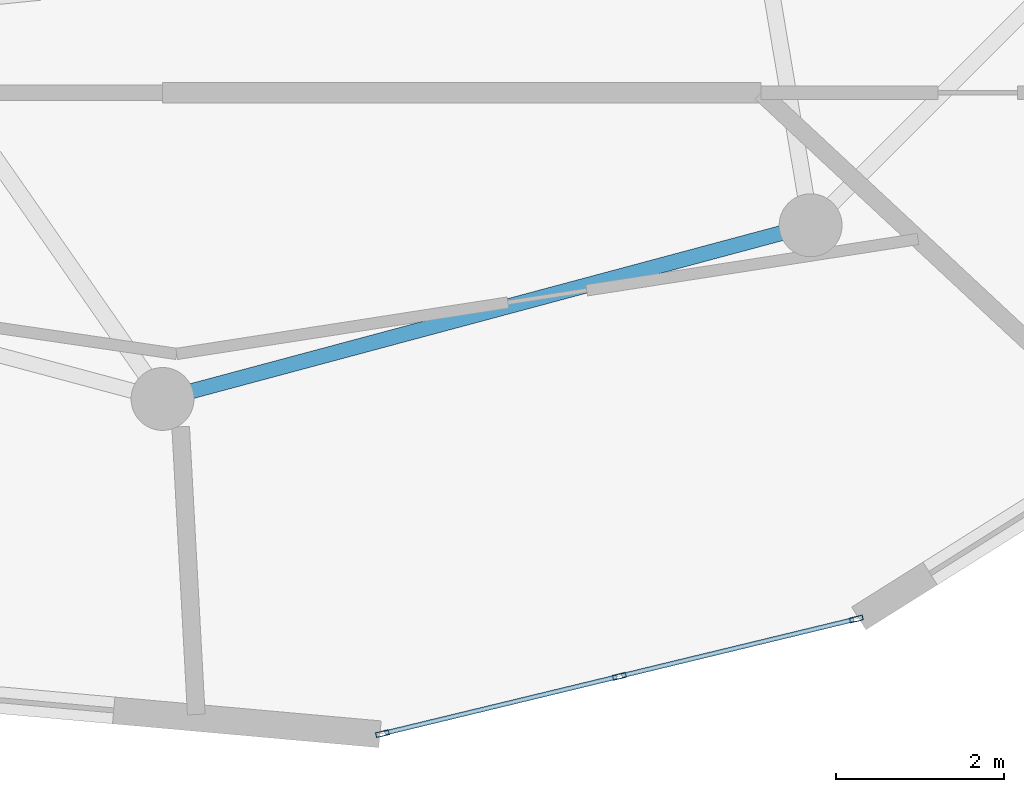
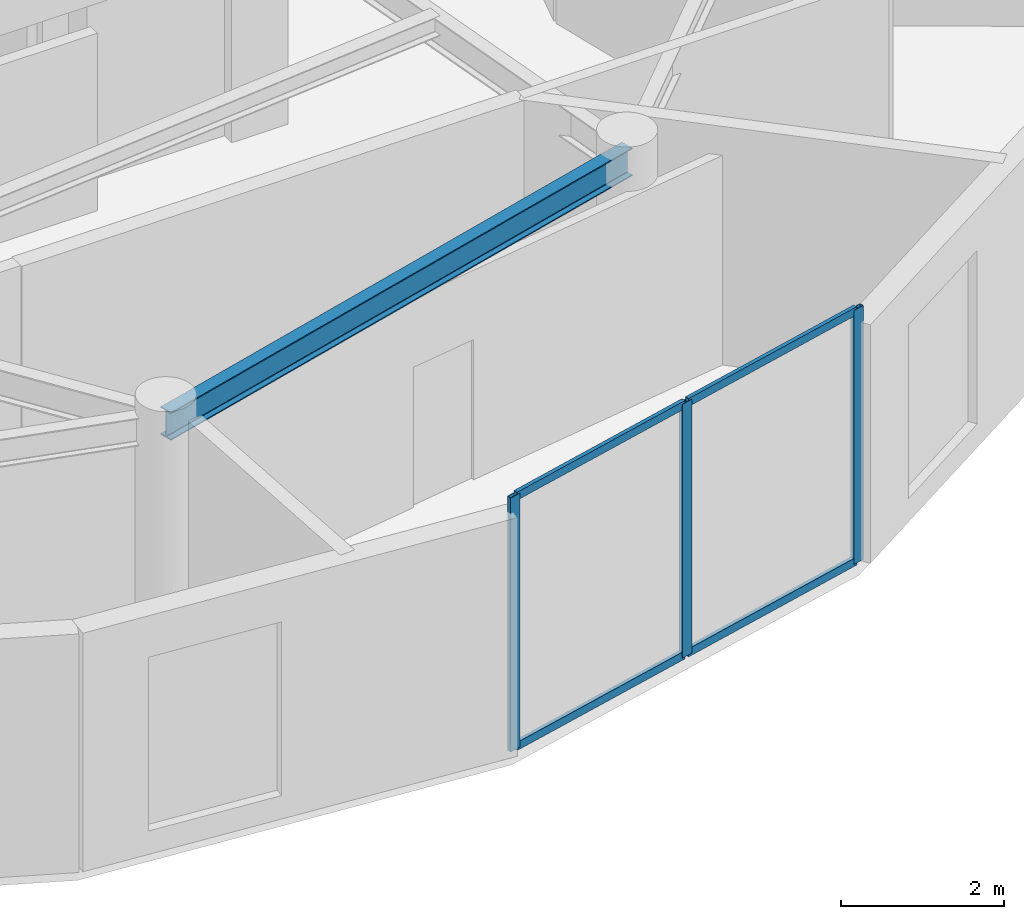
# One storey, part 4 of 19: 7 members, 1 beam, 1 element without a shape of its own.
"""IFC4 building model written with IfcOpenShell, lengths in metres."""

from ifc_helpers import new_model, si_unit, direction, frame, origin, origin_2d, place, context, subcontext, project, spatial, hollow_rectangle, i_section, extrude, source, transform, mapped, material, layer, layer_set, material_profile, profile_set, type_object, element, aggregate, save


model = new_model("IFC4")

# Units and contexts
model_context = context("Model", 3, precision=1e-05, world=origin(), true_north=direction((0.0, 1.0)))
body_context = subcontext(model_context, "Body", "Model", "MODEL_VIEW")
ifc_project = project(units=[si_unit("LENGTHUNIT", "METRE"), si_unit("AREAUNIT", "SQUARE_METRE"), si_unit("VOLUMEUNIT", "CUBIC_METRE"), si_unit("PLANEANGLEUNIT", "RADIAN"), si_unit("MASSUNIT", "GRAM", prefix="KILO")], contexts=[model_context])

# Site, building, storey
site_placement = place(None, origin())
site = spatial("IfcSite", under=ifc_project, at=site_placement, CompositionType="ELEMENT")
building_placement = place(site_placement, origin())
building = spatial("IfcBuilding", under=site, at=building_placement, Name="Solvirekh Grand Hotel", CompositionType="ELEMENT")
storey_placement = place(building_placement, frame((0.0, 0.0, 266.800048828125)))
storey = spatial("IfcBuildingStorey", under=building, at=storey_placement, Name="L69", CompositionType="ELEMENT", Elevation=266.800048828125)

# Beam
ifc_material_1 = material(Name="Steel S355", Category="steel")
ifc_material_profile_1 = material_profile(ifc_material_1, i_section(OverallWidth=0.180908203125, OverallDepth=0.4169921875, WebThickness=0.010009765625, FlangeThickness=0.01611328125, FilletRadius=0.011962890625, at=origin_2d()), Name="W410X85")
ifc_profile_set_1 = profile_set([ifc_material_profile_1], Name="Steel S355")
beam_type = type_object("IfcBeamType", Name="Spandrel_Ring_W410", PredefinedType="SPANDREL", material=ifc_profile_set_1)
beam_placement = place(storey_placement, frame((0.0, -15.449951171875, 3.36083984375), z_axis=(0.965921616143, 0.258834757072, 0.0), x_axis=(-0.258834757072, 0.965921616143, 0.0)))
element("IfcBeam", 1, at=beam_placement, inside=storey, type_object=beam_type, Name="L69 perimeter spandrel beam 10", PredefinedType="SPANDREL", context=body_context, shape_type="SweptSolid", body=[
    extrude(i_section(OverallWidth=0.180908203125, OverallDepth=0.4169921875, WebThickness=0.010009765625, FlangeThickness=0.01611328125, FilletRadius=0.011962890625, at=origin_2d()), origin(), (0.0, 0.0, 1.0), 7.99755859375),
])

# Curtain wall, members
ifc_material_2 = material(Name="Anodized Bronze Aluminium 6063-T6", Category="aluminium")
ifc_layer = layer(ifc_material_2, 0.159912109375)
ifc_layer_set = layer_set([ifc_layer], Name="Anodized Bronze Aluminium 6063-T6")
curtain_wall_type = type_object("IfcCurtainWallType", Name="CW_Sys4_HighZoneFlushBronzeCW", PredefinedType="NOTDEFINED", material=ifc_layer_set)
curtain_wall_placement = place(storey_placement, origin())
curtain_wall = element("IfcCurtainWall", 2, at=curtain_wall_placement, inside=storey, type_object=curtain_wall_type, Name="L69 unitised bronze-glass curtain wall CW-L69-C01", PredefinedType="NOTDEFINED")
ifc_material_profile_2 = material_profile(ifc_material_2, hollow_rectangle(XDim=0.06005859375, YDim=0.159912109375, WallThickness=0.0048828125, at=origin_2d()), Name="ALU RHS 160X60X5")
ifc_profile_set_2 = profile_set([ifc_material_profile_2], Name="Anodized Bronze Aluminium 6063-T6")
member_type_1 = type_object("IfcMemberType", Name="CWMullion_Sys4", PredefinedType="MULLION", material=ifc_profile_set_2)
shared_shape_1 = source(origin(), body_context, "Body", "SweptSolid", [
    extrude(hollow_rectangle(XDim=0.06005859375, YDim=0.159912109375, WallThickness=0.0048828125, at=origin_2d()), origin(), (0.0, 0.0, 1.0), 3.800048828125),
])
member_1_placement = place(storey_placement, frame((2.62109375, -19.43994140625, 0.0), z_axis=(0.0, 0.0, 1.0), x_axis=(-0.235195431247, 0.971948100014, 0.0)))
member_1 = element("IfcMember", 3, at=member_1_placement, type_object=member_type_1, Name="U04 mullion 1", PredefinedType="MULLION", context=body_context, shape_type="MappedRepresentation", body=[
    mapped(shared_shape_1, transform((0.0, 0.0, 0.0), x_axis=(1.0, 0.0, 0.0), y_axis=(0.0, 1.0, 0.0), z_axis=(0.0, 0.0, 1.0), scale=1.0)),
])
member_2_placement = place(storey_placement, frame((5.445556640625, -18.756591796875, 0.0), z_axis=(0.0, 0.0, 1.0), x_axis=(-0.235195431247, 0.971948100014, 0.0)))
member_2 = element("IfcMember", 4, at=member_2_placement, type_object=member_type_1, Name="U04 mullion 2", PredefinedType="MULLION", context=body_context, shape_type="MappedRepresentation", body=[
    mapped(shared_shape_1, transform((0.0, 0.0, 0.0), x_axis=(1.0, 0.0, 0.0), y_axis=(0.0, 1.0, 0.0), z_axis=(0.0, 0.0, 1.0), scale=1.0)),
])
member_3_placement = place(storey_placement, frame((8.269775390625, -18.072998046875, 0.0), z_axis=(0.0, 0.0, 1.0), x_axis=(-0.235195431247, 0.971948100014, 0.0)))
member_3 = element("IfcMember", 5, at=member_3_placement, type_object=member_type_1, Name="U04 mullion 3", PredefinedType="MULLION", context=body_context, shape_type="MappedRepresentation", body=[
    mapped(shared_shape_1, transform((0.0, 0.0, 0.0), x_axis=(1.0, 0.0, 0.0), y_axis=(0.0, 1.0, 0.0), z_axis=(0.0, 0.0, 1.0), scale=1.0)),
])
ifc_material_profile_3 = material_profile(ifc_material_2, hollow_rectangle(XDim=0.054931640625, YDim=0.1201171875, WallThickness=0.00390625, at=origin_2d()), Name="ALU RHS 120X55X4")
ifc_profile_set_3 = profile_set([ifc_material_profile_3], Name="Anodized Bronze Aluminium 6063-T6")
member_type_2 = type_object("IfcMemberType", Name="CWTransom_Sys4", PredefinedType="USERDEFINED", material=ifc_profile_set_3)
shared_shape_2 = source(origin(), body_context, "Body", "SweptSolid", [
    extrude(hollow_rectangle(XDim=0.054931640625, YDim=0.1201171875, WallThickness=0.00390625, at=origin_2d()), origin(), (0.0, 0.0, 1.0), 2.845947265625),
])
member_4_placement = place(storey_placement, frame((5.474609375, -18.74951171875, 0.02734375), z_axis=(0.971941694637, 0.235221899973, 0.0), x_axis=(-0.235221899973, 0.971941694637, 0.0)))
member_4 = element("IfcMember", 6, at=member_4_placement, type_object=member_type_2, Name="U04 transom 2.1", ObjectType="TRANSOM", PredefinedType="USERDEFINED", context=body_context, shape_type="MappedRepresentation", body=[
    mapped(shared_shape_2, transform((0.0, 0.0, 0.0), x_axis=(1.0, 0.0, 0.0), y_axis=(0.0, 1.0, 0.0), z_axis=(0.0, 0.0, 1.0), scale=1.0)),
])
member_5_placement = place(storey_placement, frame((5.474609375, -18.74951171875, 3.7724609375), z_axis=(0.971941694637, 0.235221899973, 0.0), x_axis=(-0.235221899973, 0.971941694637, 0.0)))
member_5 = element("IfcMember", 7, at=member_5_placement, type_object=member_type_2, Name="U04 transom 2.2", ObjectType="TRANSOM", PredefinedType="USERDEFINED", context=body_context, shape_type="MappedRepresentation", body=[
    mapped(shared_shape_2, transform((0.0, 0.0, 0.0), x_axis=(1.0, 0.0, 0.0), y_axis=(0.0, 1.0, 0.0), z_axis=(0.0, 0.0, 1.0), scale=1.0)),
])
shared_shape_3 = source(origin(), body_context, "Body", "SweptSolid", [
    extrude(hollow_rectangle(XDim=0.054931640625, YDim=0.1201171875, WallThickness=0.00390625, at=origin_2d()), origin(), (0.0, 0.0, 1.0), 2.845703125),
])
member_6_placement = place(storey_placement, frame((2.650390625, -19.432861328125, 0.02734375), z_axis=(0.971956560107, 0.235160467054, 0.0), x_axis=(-0.235160467054, 0.971956560107, 0.0)))
member_6 = element("IfcMember", 8, at=member_6_placement, type_object=member_type_2, Name="U04 transom 1.1", ObjectType="TRANSOM", PredefinedType="USERDEFINED", context=body_context, shape_type="MappedRepresentation", body=[
    mapped(shared_shape_3, transform((0.0, 0.0, 0.0), x_axis=(1.0, 0.0, 0.0), y_axis=(0.0, 1.0, 0.0), z_axis=(0.0, 0.0, 1.0), scale=1.0)),
])
member_7_placement = place(storey_placement, frame((2.650390625, -19.432861328125, 3.7724609375), z_axis=(0.971956560107, 0.235160467054, 0.0), x_axis=(-0.235160467054, 0.971956560107, 0.0)))
member_7 = element("IfcMember", 9, at=member_7_placement, type_object=member_type_2, Name="U04 transom 1.2", ObjectType="TRANSOM", PredefinedType="USERDEFINED", context=body_context, shape_type="MappedRepresentation", body=[
    mapped(shared_shape_3, transform((0.0, 0.0, 0.0), x_axis=(1.0, 0.0, 0.0), y_axis=(0.0, 1.0, 0.0), z_axis=(0.0, 0.0, 1.0), scale=1.0)),
])
aggregate(curtain_wall, [member_1, member_2, member_3, member_6, member_7, member_4, member_5])

save(model, "model.ifc")
